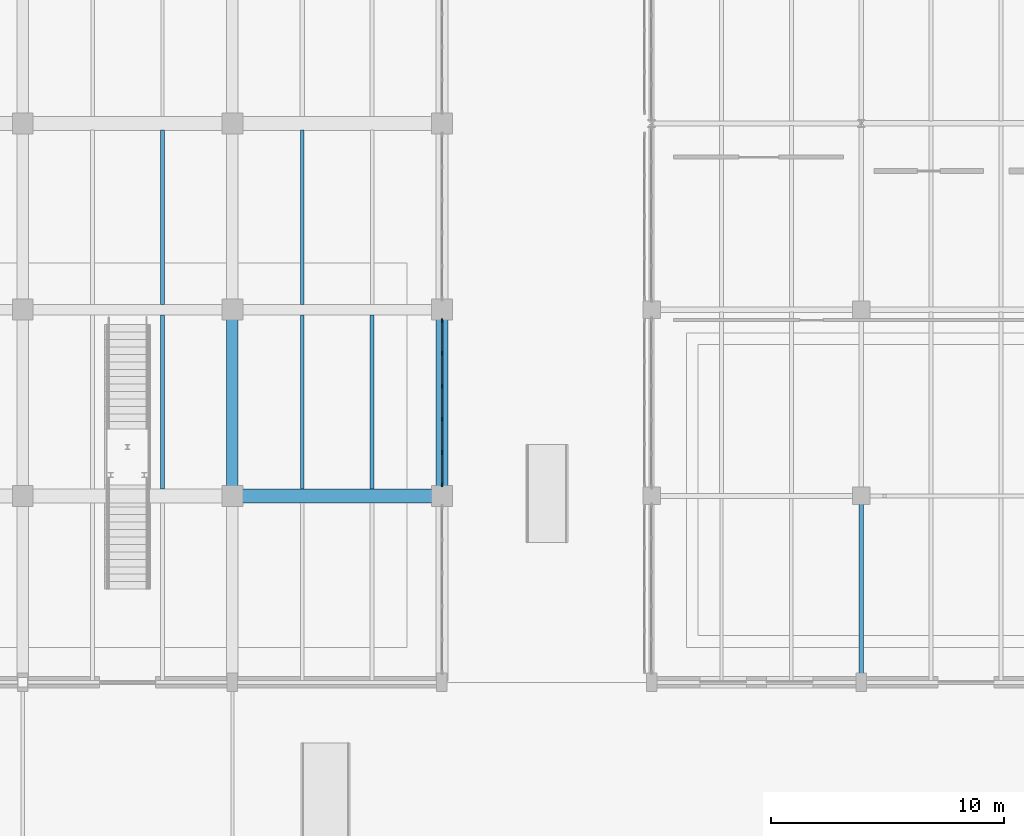
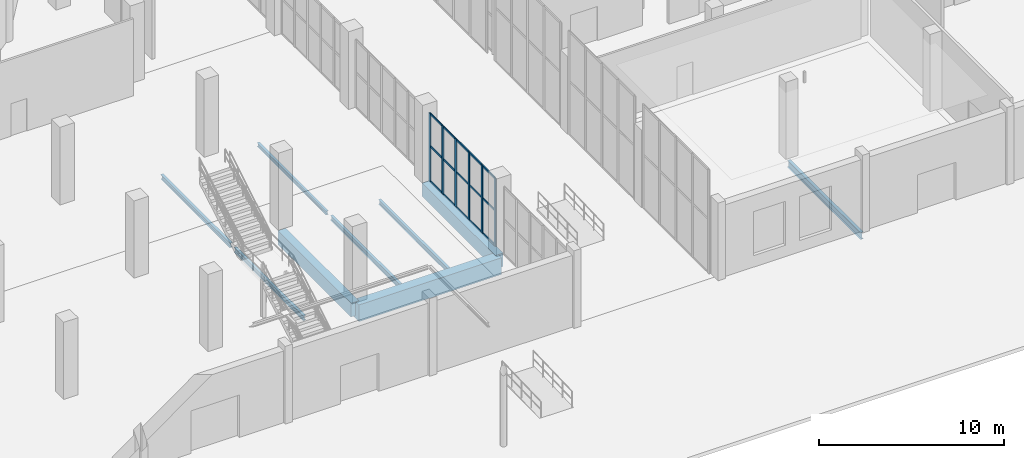
# One storey, part 40 of 103: 21 members, 9 beams, 1 element without a shape of its own.
"""IFC4 building model written with IfcOpenShell, lengths in metres."""

from ifc_helpers import new_model, si_unit, direction, frame, origin, origin_2d, place, context, subcontext, project, spatial, rectangle, i_section, extrude, material, layer, layer_set, material_profile, profile_set, type_object, element, aggregate, save


model = new_model("IFC4")

# Units and contexts
model_context = context("Model", 3, precision=1e-05, world=origin(), true_north=direction((0.0, 1.0)))
body_context = subcontext(model_context, "Body", "Model", "MODEL_VIEW")
ifc_project = project(units=[si_unit("LENGTHUNIT", "METRE"), si_unit("AREAUNIT", "SQUARE_METRE"), si_unit("VOLUMEUNIT", "CUBIC_METRE"), si_unit("PLANEANGLEUNIT", "RADIAN"), si_unit("MASSUNIT", "GRAM", prefix="KILO")], contexts=[model_context])

# Site, building, storey
site_placement = place(None, origin())
site = spatial("IfcSite", under=ifc_project, at=site_placement, CompositionType="ELEMENT")
building_placement = place(site_placement, origin())
building = spatial("IfcBuilding", under=site, at=building_placement, Name="Marnock Terrace Opera House", CompositionType="ELEMENT")
storey_placement = place(building_placement, origin())
storey = spatial("IfcBuildingStorey", under=building, at=storey_placement, Name="L00", CompositionType="ELEMENT", Elevation=0.0)

# Beams
ifc_material_1 = material(Name="Concrete N40 (f'c = 40 MPa)", Category="concrete")
ifc_material_profile_1 = material_profile(ifc_material_1, rectangle(XDim=0.5, YDim=0.89990234375, at=origin_2d()))
ifc_profile_set_1 = profile_set([ifc_material_profile_1], Name="Concrete N40 (f'c = 40 MPa)")
beam_type_1 = type_object("IfcBeamType", Name="BM-B1-RC500", PredefinedType="BEAM", material=ifc_profile_set_1)
for number, where, z_axis, x_axis, name in (
    (1, (100.0, 16.050048828125, -0.75), (0.0, 1.0, 0.0), (-1.0, 0.0, 0.0), "L00 girder (X=100.0, 16.0..24.0)"),
    (2, (109.0, 16.050048828125, -0.75), (0.0, 1.0, 0.0), (-1.0, 0.0, 0.0), "L00 girder (X=109.0, 16.0..24.0)"),
):
    element("IfcBeam", number, at=place(storey_placement, frame(where, z_axis=z_axis, x_axis=x_axis)), inside=storey, type_object=beam_type_1, Name=name, PredefinedType="BEAM", context=body_context, shape_type="SweptSolid", body=[
        extrude(rectangle(XDim=0.5, YDim=0.89990234375, at=origin_2d()), origin(), (0.0, 0.0, 1.0), 7.89990234375),
    ])
ifc_material_profile_2 = material_profile(ifc_material_1, rectangle(XDim=0.60009765625, YDim=1.10009765625, at=origin_2d()))
ifc_profile_set_2 = profile_set([ifc_material_profile_2], Name="Concrete N40 (f'c = 40 MPa)")
beam_type_2 = type_object("IfcBeamType", Name="BM-B1-RC600", PredefinedType="BEAM", material=ifc_profile_set_2)
beam_1_placement = place(storey_placement, frame((100.050048828125, 16.0, -0.85009765625), z_axis=(1.0, 0.0, 0.0), x_axis=(0.0, 1.0, 0.0)))
element("IfcBeam", 3, at=beam_1_placement, inside=storey, type_object=beam_type_2, Name="L00 girder (100.0..109.0, Y=16.0)", PredefinedType="BEAM", context=body_context, shape_type="SweptSolid", body=[
    extrude(rectangle(XDim=0.60009765625, YDim=1.10009765625, at=origin_2d()), origin(), (0.0, 0.0, 1.0), 8.89990234375),
])
ifc_material_2 = material(Name="Steel Grade 350 (AS/NZS 3679.1)", Category="steel")
ifc_material_profile_3 = material_profile(ifc_material_2, i_section(OverallWidth=0.18994140625, OverallDepth=0.45751953125, WebThickness=0.009033203125, FlangeThickness=0.014404296875, FilletRadius=0.011474609375, at=origin_2d()))
ifc_profile_set_3 = profile_set([ifc_material_profile_3], Name="Steel Grade 350 (AS/NZS 3679.1)")
beam_type_3 = type_object("IfcBeamType", Name="BM-GIRD-460B", PredefinedType="BEAM", material=ifc_profile_set_3)
beam_2_placement = place(storey_placement, frame((127.0, 8.050048828125, -0.52880859375), z_axis=(0.0, 1.0, 0.0), x_axis=(-1.0, 0.0, 0.0)))
element("IfcBeam", 4, at=beam_2_placement, inside=storey, type_object=beam_type_3, Name="L00 girder (X=127.0, 8.0..16.0)", PredefinedType="BEAM", context=body_context, shape_type="SweptSolid", body=[
    extrude(i_section(OverallWidth=0.18994140625, OverallDepth=0.45751953125, WebThickness=0.009033203125, FlangeThickness=0.014404296875, FilletRadius=0.011474609375, at=origin_2d()), origin(), (0.0, 0.0, 1.0), 7.89990234375),
])
ifc_material_profile_4 = material_profile(ifc_material_2, i_section(OverallWidth=0.14599609375, OverallDepth=0.256103515625, WebThickness=0.00634765625, FlangeThickness=0.010986328125, FilletRadius=0.0087890625, at=origin_2d()))
ifc_profile_set_4 = profile_set([ifc_material_profile_4], Name="Steel Grade 350 (AS/NZS 3679.1)")
beam_type_4 = type_object("IfcBeamType", Name="BM-JOIST-250", PredefinedType="JOIST", material=ifc_profile_set_4)
beam_3_placement = place(storey_placement, frame((103.0, 24.219970703125, -0.427978515625), z_axis=(0.0, 1.0, 0.0), x_axis=(-1.0, 0.0, 0.0)))
element("IfcBeam", 5, at=beam_3_placement, inside=storey, type_object=beam_type_4, Name="L00 secondary joist 11.3.1", PredefinedType="JOIST", context=body_context, shape_type="SweptSolid", body=[
    extrude(i_section(OverallWidth=0.14599609375, OverallDepth=0.256103515625, WebThickness=0.00634765625, FlangeThickness=0.010986328125, FilletRadius=0.0087890625, at=origin_2d()), origin(), (0.0, 0.0, 1.0), 7.485107421875),
])
ifc_material_profile_5 = material_profile(ifc_material_2, i_section(OverallWidth=0.166015625, OverallDepth=0.30712890625, WebThickness=0.006591796875, FlangeThickness=0.01171875, FilletRadius=0.011474609375, at=origin_2d()))
ifc_profile_set_5 = profile_set([ifc_material_profile_5], Name="Steel Grade 350 (AS/NZS 3679.1)")
beam_type_5 = type_object("IfcBeamType", Name="BM-JOIST-310A", PredefinedType="JOIST", material=ifc_profile_set_5)
beam_4_placement = place(storey_placement, frame((97.0, 16.294921875, -0.45361328125), z_axis=(0.0, 1.0, 0.0), x_axis=(-1.0, 0.0, 0.0)))
element("IfcBeam", 6, at=beam_4_placement, inside=storey, type_object=beam_type_5, Name="L00 secondary joist 10.2.2", PredefinedType="JOIST", context=body_context, shape_type="SweptSolid", body=[
    extrude(i_section(OverallWidth=0.166015625, OverallDepth=0.30712890625, WebThickness=0.006591796875, FlangeThickness=0.01171875, FilletRadius=0.011474609375, at=origin_2d()), origin(), (0.0, 0.0, 1.0), 7.485107421875),
])
ifc_material_profile_6 = material_profile(ifc_material_2, i_section(OverallWidth=0.1650390625, OverallDepth=0.3037109375, WebThickness=0.006103515625, FlangeThickness=0.01025390625, FilletRadius=0.011474609375, at=origin_2d()))
ifc_profile_set_6 = profile_set([ifc_material_profile_6], Name="Steel Grade 350 (AS/NZS 3679.1)")
beam_type_6 = type_object("IfcBeamType", Name="BM-JOIST-310B", PredefinedType="JOIST", material=ifc_profile_set_6)
for number, where, z_axis, x_axis, name in (
    (7, (97.0, 24.219970703125, -0.451904296875), (0.0, 1.0, 0.0), (-1.0, 0.0, 0.0), "L00 secondary joist 10.3.2"),
    (8, (103.0, 16.294921875, -0.451904296875), (0.0, 1.0, 0.0), (-1.0, 0.0, 0.0), "L00 secondary joist 11.2.1"),
    (9, (106.0, 16.294921875, -0.451904296875), (0.0, 1.0, 0.0), (-1.0, 0.0, 0.0), "L00 secondary joist 11.2.2"),
):
    element("IfcBeam", number, at=place(storey_placement, frame(where, z_axis=z_axis, x_axis=x_axis)), inside=storey, type_object=beam_type_6, Name=name, PredefinedType="JOIST", context=body_context, shape_type="SweptSolid", body=[
        extrude(i_section(OverallWidth=0.1650390625, OverallDepth=0.3037109375, WebThickness=0.006103515625, FlangeThickness=0.01025390625, FilletRadius=0.011474609375, at=origin_2d()), origin(), (0.0, 0.0, 1.0), 7.485107421875),
    ])

# Curtain wall, members
ifc_material_3 = material(Name="Anodised architectural bronze aluminium framing", Category="aluminium")
ifc_layer = layer(ifc_material_3, 0.159912109375)
ifc_layer_set = layer_set([ifc_layer], Name="Anodised architectural bronze aluminium framing")
curtain_wall_type = type_object("IfcCurtainWallType", Name="CW-FOYER-80x51", PredefinedType="NOTDEFINED", material=ifc_layer_set)
curtain_wall_placement = place(storey_placement, origin())
curtain_wall = element("IfcCurtainWall", 10, at=curtain_wall_placement, inside=storey, type_object=curtain_wall_type, Name="L00 glazed Beaux-Arts colonnade curtain wall CW-V1E-L00-02", PredefinedType="NOTDEFINED")
ifc_material_profile_7 = material_profile(ifc_material_3, rectangle(XDim=0.06494140625, YDim=0.179931640625, at=origin_2d()))
ifc_profile_set_7 = profile_set([ifc_material_profile_7], Name="Anodised architectural bronze aluminium framing")
member_type_1 = type_object("IfcMemberType", Name="CWM-65x180", PredefinedType="MULLION", material=ifc_profile_set_7)
member_1_placement = place(storey_placement, frame((109.0, 16.47607421875, 0.0), z_axis=(0.0, 0.0, 1.0), x_axis=(-1.0, 0.0, 0.0)))
member_1 = element("IfcMember", 11, at=member_1_placement, type_object=member_type_1, Name="CW-73 mullion 1", PredefinedType="MULLION", context=body_context, shape_type="SweptSolid", body=[
    extrude(rectangle(XDim=0.06494140625, YDim=0.179931640625, at=origin_2d()), origin(), (0.0, 0.0, 1.0), 4.488037109375),
])
member_2_placement = place(storey_placement, frame((109.0, 17.86767578125, 0.0), z_axis=(0.0, 0.0, 1.0), x_axis=(-1.0, 0.0, 0.0)))
member_2 = element("IfcMember", 12, at=member_2_placement, type_object=member_type_1, Name="CW-73 mullion 2", PredefinedType="MULLION", context=body_context, shape_type="SweptSolid", body=[
    extrude(rectangle(XDim=0.06494140625, YDim=0.179931640625, at=origin_2d()), origin(), (0.0, 0.0, 1.0), 4.488037109375),
])
member_3_placement = place(storey_placement, frame((109.0, 19.289306640625, 0.0), z_axis=(0.0, 0.0, 1.0), x_axis=(-1.0, 0.0, 0.0)))
member_3 = element("IfcMember", 13, at=member_3_placement, type_object=member_type_1, Name="CW-73 mullion 3", PredefinedType="MULLION", context=body_context, shape_type="SweptSolid", body=[
    extrude(rectangle(XDim=0.06494140625, YDim=0.179931640625, at=origin_2d()), origin(), (0.0, 0.0, 1.0), 4.488037109375),
])
member_4_placement = place(storey_placement, frame((109.0, 20.710693359375, 0.0), z_axis=(0.0, 0.0, 1.0), x_axis=(-1.0, 0.0, 0.0)))
member_4 = element("IfcMember", 14, at=member_4_placement, type_object=member_type_1, Name="CW-73 mullion 4", PredefinedType="MULLION", context=body_context, shape_type="SweptSolid", body=[
    extrude(rectangle(XDim=0.06494140625, YDim=0.179931640625, at=origin_2d()), origin(), (0.0, 0.0, 1.0), 4.488037109375),
])
member_5_placement = place(storey_placement, frame((109.0, 22.13232421875, 0.0), z_axis=(0.0, 0.0, 1.0), x_axis=(-1.0, 0.0, 0.0)))
member_5 = element("IfcMember", 15, at=member_5_placement, type_object=member_type_1, Name="CW-73 mullion 5", PredefinedType="MULLION", context=body_context, shape_type="SweptSolid", body=[
    extrude(rectangle(XDim=0.06494140625, YDim=0.179931640625, at=origin_2d()), origin(), (0.0, 0.0, 1.0), 4.488037109375),
])
member_6_placement = place(storey_placement, frame((109.0, 23.52392578125, 0.0), z_axis=(0.0, 0.0, 1.0), x_axis=(-1.0, 0.0, 0.0)))
member_6 = element("IfcMember", 16, at=member_6_placement, type_object=member_type_1, Name="CW-73 mullion 6", PredefinedType="MULLION", context=body_context, shape_type="SweptSolid", body=[
    extrude(rectangle(XDim=0.06494140625, YDim=0.179931640625, at=origin_2d()), origin(), (0.0, 0.0, 1.0), 4.488037109375),
])
ifc_material_profile_8 = material_profile(ifc_material_3, rectangle(XDim=0.06005859375, YDim=0.1298828125, at=origin_2d()))
ifc_profile_set_8 = profile_set([ifc_material_profile_8], Name="Anodised architectural bronze aluminium framing")
member_type_2 = type_object("IfcMemberType", Name="CWT-60x130", PredefinedType="USERDEFINED", material=ifc_profile_set_8)
member_7_placement = place(storey_placement, frame((109.0, 16.506103515625, 0.030029296875), z_axis=(0.0, 1.0, 0.0), x_axis=(-1.0, 0.0, 0.0)))
member_7 = element("IfcMember", 17, at=member_7_placement, type_object=member_type_2, Name="CW-73 transom 1.1", ObjectType="TRANSOM", PredefinedType="USERDEFINED", context=body_context, shape_type="SweptSolid", body=[
    extrude(rectangle(XDim=0.06005859375, YDim=0.1298828125, at=origin_2d()), origin(), (0.0, 0.0, 1.0), 1.33154296875),
])
member_8_placement = place(storey_placement, frame((109.0, 16.506103515625, 2.333740234375), z_axis=(0.0, 1.0, 0.0), x_axis=(-1.0, 0.0, 0.0)))
member_8 = element("IfcMember", 18, at=member_8_placement, type_object=member_type_2, Name="CW-73 transom 1.2", ObjectType="TRANSOM", PredefinedType="USERDEFINED", context=body_context, shape_type="SweptSolid", body=[
    extrude(rectangle(XDim=0.06005859375, YDim=0.1298828125, at=origin_2d()), origin(), (0.0, 0.0, 1.0), 1.33154296875),
])
member_9_placement = place(storey_placement, frame((109.0, 16.506103515625, 4.4580078125), z_axis=(0.0, 1.0, 0.0), x_axis=(-1.0, 0.0, 0.0)))
member_9 = element("IfcMember", 19, at=member_9_placement, type_object=member_type_2, Name="CW-73 transom 1.3", ObjectType="TRANSOM", PredefinedType="USERDEFINED", context=body_context, shape_type="SweptSolid", body=[
    extrude(rectangle(XDim=0.06005859375, YDim=0.1298828125, at=origin_2d()), origin(), (0.0, 0.0, 1.0), 1.33154296875),
])
member_10_placement = place(storey_placement, frame((109.0, 17.897705078125, 0.030029296875), z_axis=(0.0, 1.0, 0.0), x_axis=(-1.0, 0.0, 0.0)))
member_10 = element("IfcMember", 20, at=member_10_placement, type_object=member_type_2, Name="CW-73 transom 2.1", ObjectType="TRANSOM", PredefinedType="USERDEFINED", context=body_context, shape_type="SweptSolid", body=[
    extrude(rectangle(XDim=0.06005859375, YDim=0.1298828125, at=origin_2d()), origin(), (0.0, 0.0, 1.0), 1.361572265625),
])
member_11_placement = place(storey_placement, frame((109.0, 17.897705078125, 2.333740234375), z_axis=(0.0, 1.0, 0.0), x_axis=(-1.0, 0.0, 0.0)))
member_11 = element("IfcMember", 21, at=member_11_placement, type_object=member_type_2, Name="CW-73 transom 2.2", ObjectType="TRANSOM", PredefinedType="USERDEFINED", context=body_context, shape_type="SweptSolid", body=[
    extrude(rectangle(XDim=0.06005859375, YDim=0.1298828125, at=origin_2d()), origin(), (0.0, 0.0, 1.0), 1.361572265625),
])
member_12_placement = place(storey_placement, frame((109.0, 17.897705078125, 4.4580078125), z_axis=(0.0, 1.0, 0.0), x_axis=(-1.0, 0.0, 0.0)))
member_12 = element("IfcMember", 22, at=member_12_placement, type_object=member_type_2, Name="CW-73 transom 2.3", ObjectType="TRANSOM", PredefinedType="USERDEFINED", context=body_context, shape_type="SweptSolid", body=[
    extrude(rectangle(XDim=0.06005859375, YDim=0.1298828125, at=origin_2d()), origin(), (0.0, 0.0, 1.0), 1.361572265625),
])
member_13_placement = place(storey_placement, frame((109.0, 19.319091796875, 0.030029296875), z_axis=(0.0, 1.0, 0.0), x_axis=(-1.0, 0.0, 0.0)))
member_13 = element("IfcMember", 23, at=member_13_placement, type_object=member_type_2, Name="CW-73 transom 3.1", ObjectType="TRANSOM", PredefinedType="USERDEFINED", context=body_context, shape_type="SweptSolid", body=[
    extrude(rectangle(XDim=0.06005859375, YDim=0.1298828125, at=origin_2d()), origin(), (0.0, 0.0, 1.0), 1.36181640625),
])
member_14_placement = place(storey_placement, frame((109.0, 19.319091796875, 2.333740234375), z_axis=(0.0, 1.0, 0.0), x_axis=(-1.0, 0.0, 0.0)))
member_14 = element("IfcMember", 24, at=member_14_placement, type_object=member_type_2, Name="CW-73 transom 3.2", ObjectType="TRANSOM", PredefinedType="USERDEFINED", context=body_context, shape_type="SweptSolid", body=[
    extrude(rectangle(XDim=0.06005859375, YDim=0.1298828125, at=origin_2d()), origin(), (0.0, 0.0, 1.0), 1.36181640625),
])
member_15_placement = place(storey_placement, frame((109.0, 19.319091796875, 4.4580078125), z_axis=(0.0, 1.0, 0.0), x_axis=(-1.0, 0.0, 0.0)))
member_15 = element("IfcMember", 25, at=member_15_placement, type_object=member_type_2, Name="CW-73 transom 3.3", ObjectType="TRANSOM", PredefinedType="USERDEFINED", context=body_context, shape_type="SweptSolid", body=[
    extrude(rectangle(XDim=0.06005859375, YDim=0.1298828125, at=origin_2d()), origin(), (0.0, 0.0, 1.0), 1.36181640625),
])
member_16_placement = place(storey_placement, frame((109.0, 20.74072265625, 0.030029296875), z_axis=(0.0, 1.0, 0.0), x_axis=(-1.0, 0.0, 0.0)))
member_16 = element("IfcMember", 26, at=member_16_placement, type_object=member_type_2, Name="CW-73 transom 4.1", ObjectType="TRANSOM", PredefinedType="USERDEFINED", context=body_context, shape_type="SweptSolid", body=[
    extrude(rectangle(XDim=0.06005859375, YDim=0.1298828125, at=origin_2d()), origin(), (0.0, 0.0, 1.0), 1.361572265625),
])
member_17_placement = place(storey_placement, frame((109.0, 20.74072265625, 2.333740234375), z_axis=(0.0, 1.0, 0.0), x_axis=(-1.0, 0.0, 0.0)))
member_17 = element("IfcMember", 27, at=member_17_placement, type_object=member_type_2, Name="CW-73 transom 4.2", ObjectType="TRANSOM", PredefinedType="USERDEFINED", context=body_context, shape_type="SweptSolid", body=[
    extrude(rectangle(XDim=0.06005859375, YDim=0.1298828125, at=origin_2d()), origin(), (0.0, 0.0, 1.0), 1.361572265625),
])
member_18_placement = place(storey_placement, frame((109.0, 20.74072265625, 4.4580078125), z_axis=(0.0, 1.0, 0.0), x_axis=(-1.0, 0.0, 0.0)))
member_18 = element("IfcMember", 28, at=member_18_placement, type_object=member_type_2, Name="CW-73 transom 4.3", ObjectType="TRANSOM", PredefinedType="USERDEFINED", context=body_context, shape_type="SweptSolid", body=[
    extrude(rectangle(XDim=0.06005859375, YDim=0.1298828125, at=origin_2d()), origin(), (0.0, 0.0, 1.0), 1.361572265625),
])
member_19_placement = place(storey_placement, frame((109.0, 22.162353515625, 0.030029296875), z_axis=(0.0, 1.0, 0.0), x_axis=(-1.0, 0.0, 0.0)))
member_19 = element("IfcMember", 29, at=member_19_placement, type_object=member_type_2, Name="CW-73 transom 5.1", ObjectType="TRANSOM", PredefinedType="USERDEFINED", context=body_context, shape_type="SweptSolid", body=[
    extrude(rectangle(XDim=0.06005859375, YDim=0.1298828125, at=origin_2d()), origin(), (0.0, 0.0, 1.0), 1.33154296875),
])
member_20_placement = place(storey_placement, frame((109.0, 22.162353515625, 2.333740234375), z_axis=(0.0, 1.0, 0.0), x_axis=(-1.0, 0.0, 0.0)))
member_20 = element("IfcMember", 30, at=member_20_placement, type_object=member_type_2, Name="CW-73 transom 5.2", ObjectType="TRANSOM", PredefinedType="USERDEFINED", context=body_context, shape_type="SweptSolid", body=[
    extrude(rectangle(XDim=0.06005859375, YDim=0.1298828125, at=origin_2d()), origin(), (0.0, 0.0, 1.0), 1.33154296875),
])
member_21_placement = place(storey_placement, frame((109.0, 22.162353515625, 4.4580078125), z_axis=(0.0, 1.0, 0.0), x_axis=(-1.0, 0.0, 0.0)))
member_21 = element("IfcMember", 31, at=member_21_placement, type_object=member_type_2, Name="CW-73 transom 5.3", ObjectType="TRANSOM", PredefinedType="USERDEFINED", context=body_context, shape_type="SweptSolid", body=[
    extrude(rectangle(XDim=0.06005859375, YDim=0.1298828125, at=origin_2d()), origin(), (0.0, 0.0, 1.0), 1.33154296875),
])
aggregate(curtain_wall, [member_1, member_2, member_3, member_4, member_5, member_6, member_7, member_8, member_9, member_10, member_11, member_12, member_13, member_14, member_15, member_16, member_17, member_18, member_19, member_20, member_21])

save(model, "model.ifc")
